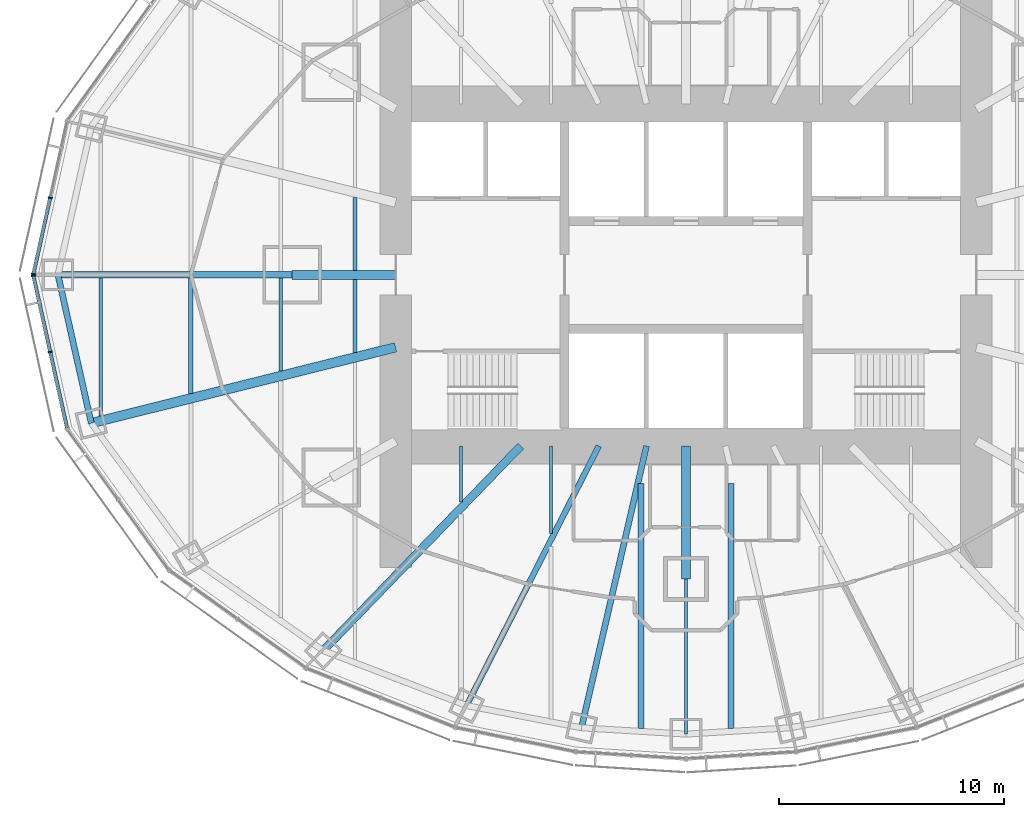
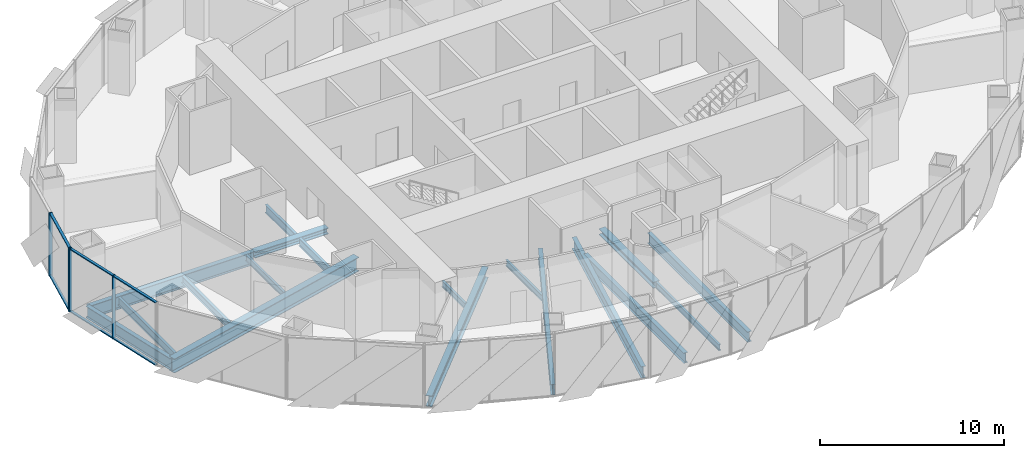
# One storey, part 3 of 18: 18 beams, 10 members, 2 elements without a shape of their own.
"""IFC4 building model written with IfcOpenShell, lengths in metres."""

from ifc_helpers import new_model, si_unit, direction, frame, origin, origin_2d, place, context, subcontext, project, spatial, rectangle, i_section, extrude, material, material_profile, profile_set, type_object, element, aggregate, save


model = new_model("IFC4")

# Units and contexts
model_context = context("Model", 3, precision=1e-05, world=origin(), true_north=direction((0.0, 1.0)))
body_context = subcontext(model_context, "Body", "Model", "MODEL_VIEW")
ifc_project = project(units=[si_unit("LENGTHUNIT", "METRE"), si_unit("AREAUNIT", "SQUARE_METRE"), si_unit("VOLUMEUNIT", "CUBIC_METRE"), si_unit("PLANEANGLEUNIT", "RADIAN"), si_unit("MASSUNIT", "GRAM", prefix="KILO")], contexts=[model_context])

# Site, building, storey
site_placement = place(None, origin())
site = spatial("IfcSite", under=ifc_project, at=site_placement, CompositionType="ELEMENT")
building_placement = place(site_placement, origin())
building = spatial("IfcBuilding", under=site, at=building_placement, Name="Lantaw Convention Tower", CompositionType="ELEMENT")
storey_placement = place(building_placement, frame((0.0, 0.0, 167.800048828125)))
storey = spatial("IfcBuildingStorey", under=building, at=storey_placement, Name="L39", CompositionType="ELEMENT", Elevation=167.800048828125)

# Beams
ifc_material_1 = material(Name="Steel ASTM A992", Category="steel")
ifc_material_profile_1 = material_profile(ifc_material_1, i_section(OverallWidth=0.2666015625, OverallDepth=0.76953125, WebThickness=0.015625, FlangeThickness=0.025390625, FilletRadius=0.0126953125, at=origin_2d()), Name="W30X132")
ifc_profile_set_1 = profile_set([ifc_material_profile_1], Name="Steel ASTM A992")
beam_type_1 = type_object("IfcBeamType", Name="Beam E W30X132", PredefinedType="SPANDREL", material=ifc_profile_set_1)
beam_1_placement = place(storey_placement, frame((-27.89990234375, 0.0, -0.534912109375), z_axis=(0.219211877447, -0.975677279015, 0.0), x_axis=(0.975677279015, 0.219211877447, 0.0)))
element("IfcBeam", 1, at=beam_1_placement, inside=storey, type_object=beam_type_1, Name="Edge beam 13", PredefinedType="SPANDREL", context=body_context, shape_type="SweptSolid", body=[
    extrude(i_section(OverallWidth=0.2666015625, OverallDepth=0.76953125, WebThickness=0.015625, FlangeThickness=0.025390625, FilletRadius=0.0126953125, at=origin_2d()), origin(), (0.0, 0.0, 1.0), 6.75146484375),
])
ifc_material_profile_2 = material_profile(ifc_material_1, i_section(OverallWidth=0.140380859375, OverallDepth=0.40380859375, WebThickness=0.007080078125, FlangeThickness=0.01123046875, FilletRadius=0.01025390625, at=origin_2d()), Name="W16X31")
ifc_profile_set_2 = profile_set([ifc_material_profile_2], Name="Steel ASTM A992")
beam_type_2 = type_object("IfcBeamType", Name="Beam G W16X31", PredefinedType="BEAM", material=ifc_profile_set_2)
beam_2_placement = place(storey_placement, frame((0.0, -13.5, -0.35205078125), z_axis=(0.0, -1.0, 0.0), x_axis=(1.0, 0.0, 0.0)))
element("IfcBeam", 2, at=beam_2_placement, inside=storey, type_object=beam_type_2, Name="Floor girder on ray 19", PredefinedType="BEAM", context=body_context, shape_type="SweptSolid", body=[
    extrude(i_section(OverallWidth=0.140380859375, OverallDepth=0.40380859375, WebThickness=0.007080078125, FlangeThickness=0.01123046875, FilletRadius=0.01025390625, at=origin_2d()), origin(), (0.0, 0.0, 1.0), 6.89990234375),
])
ifc_material_profile_3 = material_profile(ifc_material_1, i_section(OverallWidth=0.25390625, OverallDepth=0.700927734375, WebThickness=0.015380859375, FlangeThickness=0.02783203125, FilletRadius=0.01513671875, at=origin_2d()), Name="W27X129")
ifc_profile_set_3 = profile_set([ifc_material_profile_3], Name="Steel ASTM A992")
beam_type_3 = type_object("IfcBeamType", Name="Beam G W27X129", PredefinedType="BEAM", material=ifc_profile_set_3)
beam_3_placement = place(storey_placement, frame((-3.872314453125, -7.60009765625, -0.50048828125), z_axis=(-0.453991051051, -0.891006243281, 0.0), x_axis=(0.891006243281, -0.453991051051, 0.0)))
element("IfcBeam", 3, at=beam_3_placement, inside=storey, type_object=beam_type_3, Name="Floor girder on ray 17", PredefinedType="BEAM", context=body_context, shape_type="SweptSolid", body=[
    extrude(i_section(OverallWidth=0.25390625, OverallDepth=0.700927734375, WebThickness=0.015380859375, FlangeThickness=0.02783203125, FilletRadius=0.01513671875, at=origin_2d()), origin(), (0.0, 0.0, 1.0), 12.943359375),
])
ifc_material_profile_4 = material_profile(ifc_material_1, i_section(OverallWidth=0.360595703125, OverallDepth=0.72900390625, WebThickness=0.023193359375, FlangeThickness=0.041015625, FilletRadius=0.0126953125, at=origin_2d()), Name="W27X235")
ifc_profile_set_4 = profile_set([ifc_material_profile_4], Name="Steel ASTM A992")
beam_type_4 = type_object("IfcBeamType", Name="Beam G W27X235", PredefinedType="BEAM", material=ifc_profile_set_4)
beam_4_placement = place(storey_placement, frame((-7.33935546875, -7.60009765625, -0.5146484375), z_axis=(-0.694663467407, -0.719334878239, 0.0), x_axis=(0.719334878239, -0.694663467407, 0.0)))
element("IfcBeam", 4, at=beam_4_placement, inside=storey, type_object=beam_type_4, Name="Floor girder on ray 16", PredefinedType="BEAM", context=body_context, shape_type="SweptSolid", body=[
    extrude(i_section(OverallWidth=0.360595703125, OverallDepth=0.72900390625, WebThickness=0.023193359375, FlangeThickness=0.041015625, FilletRadius=0.0126953125, at=origin_2d()), origin(), (0.0, 0.0, 1.0), 12.63671875),
])
ifc_material_profile_5 = material_profile(ifc_material_1, i_section(OverallWidth=0.2666015625, OverallDepth=0.7568359375, WebThickness=0.013916015625, FlangeThickness=0.019287109375, FilletRadius=0.0126953125, at=origin_2d()), Name="W30X108")
ifc_profile_set_5 = profile_set([ifc_material_profile_5], Name="Steel ASTM A992")
beam_type_5 = type_object("IfcBeamType", Name="Beam G W30X108", PredefinedType="BEAM", material=ifc_profile_set_5)
beam_5_placement = place(storey_placement, frame((-1.754638671875, -7.60009765625, -0.528564453125), z_axis=(-0.224944153104, -0.974371658036, 0.0), x_axis=(0.974371658036, -0.224944153104, 0.0)))
element("IfcBeam", 5, at=beam_5_placement, inside=storey, type_object=beam_type_5, Name="Floor girder on ray 18", PredefinedType="BEAM", context=body_context, shape_type="SweptSolid", body=[
    extrude(i_section(OverallWidth=0.2666015625, OverallDepth=0.7568359375, WebThickness=0.013916015625, FlangeThickness=0.019287109375, FilletRadius=0.0126953125, at=origin_2d()), origin(), (0.0, 0.0, 1.0), 12.849365234375),
])
ifc_material_profile_6 = material_profile(ifc_material_1, i_section(OverallWidth=0.2919921875, OverallDepth=0.845703125, WebThickness=0.015380859375, FlangeThickness=0.0244140625, FilletRadius=0.01513671875, at=origin_2d()), Name="W33X141")
ifc_profile_set_6 = profile_set([ifc_material_profile_6], Name="Steel ASTM A992")
beam_type_6 = type_object("IfcBeamType", Name="Beam G W33X141", PredefinedType="BEAM", material=ifc_profile_set_6)
beam_6_placement = place(storey_placement, frame((-17.5, 0.0, -0.572998046875), z_axis=(-1.0, 0.0, 0.0), x_axis=(0.0, -1.0, 0.0)))
element("IfcBeam", 6, at=beam_6_placement, inside=storey, type_object=beam_type_6, Name="Floor girder on ray 13", PredefinedType="BEAM", context=body_context, shape_type="SweptSolid", body=[
    extrude(i_section(OverallWidth=0.2919921875, OverallDepth=0.845703125, WebThickness=0.015380859375, FlangeThickness=0.0244140625, FilletRadius=0.01513671875, at=origin_2d()), origin(), (0.0, 0.0, 1.0), 10.39990234375),
])
ifc_material_profile_7 = material_profile(ifc_material_1, i_section(OverallWidth=0.421630859375, OverallDepth=0.937255859375, WebThickness=0.0224609375, FlangeThickness=0.039794921875, FilletRadius=0.02001953125, at=origin_2d()), Name="W36X282")
ifc_profile_set_7 = profile_set([ifc_material_profile_7], Name="Steel ASTM A992")
beam_type_7 = type_object("IfcBeamType", Name="Beam G W36X282", PredefinedType="BEAM", material=ifc_profile_set_7)
beam_7_placement = place(storey_placement, frame((-12.89990234375, -3.21630859375, -0.61865234375), z_axis=(-0.970296903132, -0.24191717544, 0.0), x_axis=(0.24191717544, -0.970296903132, 0.0)))
element("IfcBeam", 7, at=beam_7_placement, inside=storey, type_object=beam_type_7, Name="Floor girder on ray 14", PredefinedType="BEAM", context=body_context, shape_type="SweptSolid", body=[
    extrude(i_section(OverallWidth=0.421630859375, OverallDepth=0.937255859375, WebThickness=0.0224609375, FlangeThickness=0.039794921875, FilletRadius=0.02001953125, at=origin_2d()), origin(), (0.0, 0.0, 1.0), 13.933837890625),
])
ifc_material_profile_8 = material_profile(ifc_material_1, i_section(OverallWidth=0.40380859375, OverallDepth=0.406494140625, WebThickness=0.027099609375, FlangeThickness=0.043701171875, FilletRadius=0.01513671875, at=origin_2d()), Name="W14X233")
ifc_profile_set_8 = profile_set([ifc_material_profile_8], Name="Steel ASTM A992")
beam_type_8 = type_object("IfcBeamType", Name="Beam GM W14X233", PredefinedType="BEAM", material=ifc_profile_set_8)
beam_8_placement = place(storey_placement, frame((-12.89990234375, 0.0, -0.353271484375), z_axis=(-1.0, 0.0, 0.0), x_axis=(0.0, -1.0, 0.0)))
element("IfcBeam", 8, at=beam_8_placement, inside=storey, type_object=beam_type_8, Name="Core link beam on ray 13", PredefinedType="BEAM", context=body_context, shape_type="SweptSolid", body=[
    extrude(i_section(OverallWidth=0.40380859375, OverallDepth=0.406494140625, WebThickness=0.027099609375, FlangeThickness=0.043701171875, FilletRadius=0.01513671875, at=origin_2d()), origin(), (0.0, 0.0, 1.0), 4.60009765625),
])
beam_9_placement = place(storey_placement, frame((0.0, -7.60009765625, -0.353271484375), z_axis=(0.0, -1.0, 0.0), x_axis=(1.0, 0.0, 0.0)))
element("IfcBeam", 9, at=beam_9_placement, inside=storey, type_object=beam_type_8, Name="Core link beam on ray 19", PredefinedType="BEAM", context=body_context, shape_type="SweptSolid", body=[
    extrude(i_section(OverallWidth=0.40380859375, OverallDepth=0.406494140625, WebThickness=0.027099609375, FlangeThickness=0.043701171875, FilletRadius=0.01513671875, at=origin_2d()), origin(), (0.0, 0.0, 1.0), 5.89990234375),
])
ifc_material_profile_9 = material_profile(ifc_material_1, i_section(OverallWidth=0.140380859375, OverallDepth=0.40380859375, WebThickness=0.007080078125, FlangeThickness=0.01123046875, FilletRadius=0.01025390625, at=origin_2d()), Name="W16X31")
ifc_profile_set_9 = profile_set([ifc_material_profile_9], Name="Steel ASTM A992")
beam_type_9 = type_object("IfcBeamType", Name="Beam J W16X31", PredefinedType="JOIST", material=ifc_profile_set_9)
beam_10_placement = place(storey_placement, frame((-18.0, -4.270751953125, -0.35205078125), z_axis=(0.0, 1.0, 0.0), x_axis=(-1.0, 0.0, 0.0)))
element("IfcBeam", 10, at=beam_10_placement, inside=storey, type_object=beam_type_9, Name="Floor joist", PredefinedType="JOIST", context=body_context, shape_type="SweptSolid", body=[
    extrude(i_section(OverallWidth=0.140380859375, OverallDepth=0.40380859375, WebThickness=0.007080078125, FlangeThickness=0.01123046875, FilletRadius=0.01025390625, at=origin_2d()), origin(), (0.0, 0.0, 1.0), 4.124755859375),
])
beam_11_placement = place(storey_placement, frame((-10.0, -10.095703125, -0.35205078125), z_axis=(0.0, 1.0, 0.0), x_axis=(-1.0, 0.0, 0.0)))
element("IfcBeam", 11, at=beam_11_placement, inside=storey, type_object=beam_type_9, Name="Floor joist", PredefinedType="JOIST", context=body_context, shape_type="SweptSolid", body=[
    extrude(i_section(OverallWidth=0.140380859375, OverallDepth=0.40380859375, WebThickness=0.007080078125, FlangeThickness=0.01123046875, FilletRadius=0.01025390625, at=origin_2d()), origin(), (0.0, 0.0, 1.0), 2.49560546875),
])
beam_12_placement = place(storey_placement, frame((-6.0, -11.495849609375, -0.35205078125), z_axis=(0.0, 1.0, 0.0), x_axis=(-1.0, 0.0, 0.0)))
element("IfcBeam", 12, at=beam_12_placement, inside=storey, type_object=beam_type_9, Name="Floor joist", PredefinedType="JOIST", context=body_context, shape_type="SweptSolid", body=[
    extrude(i_section(OverallWidth=0.140380859375, OverallDepth=0.40380859375, WebThickness=0.007080078125, FlangeThickness=0.01123046875, FilletRadius=0.01025390625, at=origin_2d()), origin(), (0.0, 0.0, 1.0), 3.895751953125),
])
ifc_material_profile_10 = material_profile(ifc_material_1, i_section(OverallWidth=0.1904296875, OverallDepth=0.457275390625, WebThickness=0.009033203125, FlangeThickness=0.014404296875, FilletRadius=0.01025390625, at=origin_2d()), Name="W18X50")
ifc_profile_set_10 = profile_set([ifc_material_profile_10], Name="Steel ASTM A992")
beam_type_10 = type_object("IfcBeamType", Name="Beam J W18X50", PredefinedType="JOIST", material=ifc_profile_set_10)
beam_13_placement = place(storey_placement, frame((-22.0, -5.267822265625, -0.378662109375), z_axis=(0.0, 1.0, 0.0), x_axis=(-1.0, 0.0, 0.0)))
element("IfcBeam", 13, at=beam_13_placement, inside=storey, type_object=beam_type_10, Name="Floor joist", PredefinedType="JOIST", context=body_context, shape_type="SweptSolid", body=[
    extrude(i_section(OverallWidth=0.1904296875, OverallDepth=0.457275390625, WebThickness=0.009033203125, FlangeThickness=0.014404296875, FilletRadius=0.01025390625, at=origin_2d()), origin(), (0.0, 0.0, 1.0), 5.121826171875),
])
ifc_material_profile_11 = material_profile(ifc_material_1, i_section(OverallWidth=0.1650390625, OverallDepth=0.52587890625, WebThickness=0.0087890625, FlangeThickness=0.011474609375, FilletRadius=0.0126953125, at=origin_2d()), Name="W21X44")
ifc_profile_set_11 = profile_set([ifc_material_profile_11], Name="Steel ASTM A992")
beam_type_11 = type_object("IfcBeamType", Name="Beam J W21X44", PredefinedType="JOIST", material=ifc_profile_set_11)
beam_14_placement = place(storey_placement, frame((-26.0, -6.26513671875, -0.412841796875), z_axis=(0.0, 1.0, 0.0), x_axis=(-1.0, 0.0, 0.0)))
element("IfcBeam", 14, at=beam_14_placement, inside=storey, type_object=beam_type_11, Name="Floor joist", PredefinedType="JOIST", context=body_context, shape_type="SweptSolid", body=[
    extrude(i_section(OverallWidth=0.1650390625, OverallDepth=0.52587890625, WebThickness=0.0087890625, FlangeThickness=0.011474609375, FilletRadius=0.0126953125, at=origin_2d()), origin(), (0.0, 0.0, 1.0), 6.119140625),
])
ifc_material_profile_12 = material_profile(ifc_material_1, i_section(OverallWidth=0.165771484375, OverallDepth=0.5283203125, WebThickness=0.009765625, FlangeThickness=0.013671875, FilletRadius=0.012939453125, at=origin_2d()), Name="W21X50")
ifc_profile_set_12 = profile_set([ifc_material_profile_12], Name="Steel ASTM A992")
beam_type_12 = type_object("IfcBeamType", Name="Beam J W21X50", PredefinedType="JOIST", material=ifc_profile_set_12)
for number, where, z_axis, x_axis, name in (
    (15, (-14.699951171875, -3.44775390625, -0.414306640625), (0.0, 1.0, 0.0), (-1.0, 0.0, 0.0), "Floor joist"),
    (16, (-14.699951171875, 0.201904296875, -0.414306640625), (0.0, 1.0, 0.0), (-1.0, 0.0, 0.0), "Floor joist"),
):
    element("IfcBeam", number, at=place(storey_placement, frame(where, z_axis=z_axis, x_axis=x_axis)), inside=storey, type_object=beam_type_12, Name=name, PredefinedType="JOIST", context=body_context, shape_type="SweptSolid", body=[
        extrude(i_section(OverallWidth=0.165771484375, OverallDepth=0.5283203125, WebThickness=0.009765625, FlangeThickness=0.013671875, FilletRadius=0.012939453125, at=origin_2d()), origin(), (0.0, 0.0, 1.0), 3.245849609375),
    ])
ifc_material_profile_13 = material_profile(ifc_material_1, i_section(OverallWidth=0.25390625, OverallDepth=0.683349609375, WebThickness=0.012451171875, FlangeThickness=0.01904296875, FilletRadius=0.01513671875, at=origin_2d()), Name="W27X94")
ifc_profile_set_13 = profile_set([ifc_material_profile_13], Name="Steel ASTM A992")
beam_type_13 = type_object("IfcBeamType", Name="Beam J W27X94", PredefinedType="JOIST", material=ifc_profile_set_13)
for number, where, z_axis, x_axis, name in (
    (17, (-2.0, -20.145751953125, -0.49169921875), (0.0, 1.0, 0.0), (-1.0, 0.0, 0.0), "Floor joist"),
    (18, (2.0, -20.145751953125, -0.49169921875), (0.0, 1.0, 0.0), (-1.0, 0.0, 0.0), "Floor joist"),
):
    element("IfcBeam", number, at=place(storey_placement, frame(where, z_axis=z_axis, x_axis=x_axis)), inside=storey, type_object=beam_type_13, Name=name, PredefinedType="JOIST", context=body_context, shape_type="SweptSolid", body=[
        extrude(i_section(OverallWidth=0.25390625, OverallDepth=0.683349609375, WebThickness=0.012451171875, FlangeThickness=0.01904296875, FilletRadius=0.01513671875, at=origin_2d()), origin(), (0.0, 0.0, 1.0), 10.889892578125),
    ])

# Curtain wall, members
ifc_material_2 = material(Name="Aluminium framed curtain wall", Category="aluminium")
curtain_wall_type = type_object("IfcCurtainWallType", Name="Office curtain wall low rise, pale aluminium", PredefinedType="USERDEFINED", material=ifc_material_2)
curtain_wall_1_placement = place(storey_placement, origin())
curtain_wall_1 = element("IfcCurtainWall", 19, at=curtain_wall_1_placement, inside=storey, type_object=curtain_wall_type, Name="Office curtain wall low rise, pale aluminium L39", ObjectType="UNITISED CURTAIN WALL", PredefinedType="USERDEFINED")
ifc_material_3 = material(Name="Aluminium 6063-T6", Category="aluminium")
ifc_material_profile_14 = material_profile(ifc_material_3, rectangle(XDim=0.199951171875, YDim=0.06494140625, at=origin_2d()), Name="CW-O1 mullion 65x200")
ifc_profile_set_14 = profile_set([ifc_material_profile_14], Name="Aluminium 6063-T6")
member_type_1 = type_object("IfcMemberType", Name="CW-O1 mullion 65x200", PredefinedType="MULLION", material=ifc_profile_set_14)
member_1_placement = place(storey_placement, frame((-28.24365234375, 3.4267578125, -0.150146484375), z_axis=(0.0, 0.0, 1.0), x_axis=(0.9764936509, -0.215546166174, 0.0)))
member_1 = element("IfcMember", 20, at=member_1_placement, type_object=member_type_1, Name="CW-O1 mullion 2", PredefinedType="MULLION", context=body_context, shape_type="SweptSolid", body=[
    extrude(rectangle(XDim=0.199951171875, YDim=0.06494140625, at=origin_2d()), origin(), (0.0, 0.0, 1.0), 4.2001953125),
])
member_2_placement = place(storey_placement, frame((-28.992919921875, 0.03173828125, -0.150146484375), z_axis=(0.0, 0.0, 1.0), x_axis=(0.9764936509, -0.215546166174, 0.0)))
member_2 = element("IfcMember", 21, at=member_2_placement, type_object=member_type_1, Name="CW-O1 mullion 3", PredefinedType="MULLION", context=body_context, shape_type="SweptSolid", body=[
    extrude(rectangle(XDim=0.199951171875, YDim=0.06494140625, at=origin_2d()), origin(), (0.0, 0.0, 1.0), 4.2001953125),
])

curtain_wall_2_placement = place(storey_placement, origin())
curtain_wall_2 = element("IfcCurtainWall", 22, at=curtain_wall_2_placement, inside=storey, type_object=curtain_wall_type, Name="Office curtain wall low rise, pale aluminium L39", ObjectType="UNITISED CURTAIN WALL", PredefinedType="USERDEFINED")
member_3_placement = place(storey_placement, frame((-28.992919921875, -0.03173828125, -0.150146484375), z_axis=(0.0, 0.0, 1.0), x_axis=(0.9764936509, 0.215546166174, 0.0)))
member_3 = element("IfcMember", 23, at=member_3_placement, type_object=member_type_1, Name="CW-O1 mullion 1", PredefinedType="MULLION", context=body_context, shape_type="SweptSolid", body=[
    extrude(rectangle(XDim=0.199951171875, YDim=0.06494140625, at=origin_2d()), origin(), (0.0, 0.0, 1.0), 4.2001953125),
])
member_4_placement = place(storey_placement, frame((-28.24365234375, -3.4267578125, -0.150146484375), z_axis=(0.0, 0.0, 1.0), x_axis=(0.9764936509, 0.215546166174, 0.0)))
member_4 = element("IfcMember", 24, at=member_4_placement, type_object=member_type_1, Name="CW-O1 mullion 2", PredefinedType="MULLION", context=body_context, shape_type="SweptSolid", body=[
    extrude(rectangle(XDim=0.199951171875, YDim=0.06494140625, at=origin_2d()), origin(), (0.0, 0.0, 1.0), 4.2001953125),
])

# Member
ifc_material_profile_15 = material_profile(ifc_material_3, rectangle(XDim=0.159912109375, YDim=0.06494140625, at=origin_2d()), Name="CW-O1 transom 65x160")
ifc_profile_set_15 = profile_set([ifc_material_profile_15], Name="Aluminium 6063-T6")
member_type_2 = type_object("IfcMemberType", Name="CW-O1 transom 65x160", PredefinedType="USERDEFINED", material=ifc_profile_set_15)
member_5_placement = place(storey_placement, frame((-28.250732421875, 3.39501953125, -0.117431640625), z_axis=(-0.215536096386, -0.976495873598, 0.0), x_axis=(0.976495873598, -0.215536096386, 0.0)))
member_5 = element("IfcMember", 25, at=member_5_placement, type_object=member_type_2, Name="CW-O1 transom 2.1", ObjectType="TRANSOM", PredefinedType="USERDEFINED", context=body_context, shape_type="SweptSolid", body=[
    extrude(rectangle(XDim=0.159912109375, YDim=0.06494140625, at=origin_2d()), origin(), (0.0, 0.0, 1.0), 3.41162109375),
])

member_6_placement = place(storey_placement, frame((-28.250732421875, 3.39501953125, 4.017333984375), z_axis=(-0.215536096386, -0.976495873598, 0.0), x_axis=(0.976495873598, -0.215536096386, 0.0)))
member_6 = element("IfcMember", 26, at=member_6_placement, type_object=member_type_2, Name="CW-O1 transom 2.2", ObjectType="TRANSOM", PredefinedType="USERDEFINED", context=body_context, shape_type="SweptSolid", body=[
    extrude(rectangle(XDim=0.159912109375, YDim=0.06494140625, at=origin_2d()), origin(), (0.0, 0.0, 1.0), 3.41162109375),
])

aggregate(curtain_wall_1, [member_1, member_2, member_5, member_6])

member_7_placement = place(storey_placement, frame((-28.986083984375, -0.0634765625, -0.117431640625), z_axis=(0.215536096386, -0.976495873598, 0.0), x_axis=(0.976495873598, 0.215536096386, 0.0)))
member_7 = element("IfcMember", 27, at=member_7_placement, type_object=member_type_2, Name="CW-O1 transom 1.1", ObjectType="TRANSOM", PredefinedType="USERDEFINED", context=body_context, shape_type="SweptSolid", body=[
    extrude(rectangle(XDim=0.159912109375, YDim=0.06494140625, at=origin_2d()), origin(), (0.0, 0.0, 1.0), 3.41162109375),
])

member_8_placement = place(storey_placement, frame((-28.986083984375, -0.0634765625, 4.017333984375), z_axis=(0.215536096386, -0.976495873598, 0.0), x_axis=(0.976495873598, 0.215536096386, 0.0)))
member_8 = element("IfcMember", 28, at=member_8_placement, type_object=member_type_2, Name="CW-O1 transom 1.2", ObjectType="TRANSOM", PredefinedType="USERDEFINED", context=body_context, shape_type="SweptSolid", body=[
    extrude(rectangle(XDim=0.159912109375, YDim=0.06494140625, at=origin_2d()), origin(), (0.0, 0.0, 1.0), 3.41162109375),
])

member_9_placement = place(storey_placement, frame((-28.236572265625, -3.45849609375, -0.117431640625), z_axis=(0.21555115847, -0.976492548913, 0.0), x_axis=(0.976492548913, 0.21555115847, 0.0)))
member_9 = element("IfcMember", 29, at=member_9_placement, type_object=member_type_2, Name="CW-O1 transom 2.1", ObjectType="TRANSOM", PredefinedType="USERDEFINED", context=body_context, shape_type="SweptSolid", body=[
    extrude(rectangle(XDim=0.159912109375, YDim=0.06494140625, at=origin_2d()), origin(), (0.0, 0.0, 1.0), 3.411376953125),
])

member_10_placement = place(storey_placement, frame((-28.236572265625, -3.45849609375, 4.017333984375), z_axis=(0.21555115847, -0.976492548913, 0.0), x_axis=(0.976492548913, 0.21555115847, 0.0)))
member_10 = element("IfcMember", 30, at=member_10_placement, type_object=member_type_2, Name="CW-O1 transom 2.2", ObjectType="TRANSOM", PredefinedType="USERDEFINED", context=body_context, shape_type="SweptSolid", body=[
    extrude(rectangle(XDim=0.159912109375, YDim=0.06494140625, at=origin_2d()), origin(), (0.0, 0.0, 1.0), 3.411376953125),
])

aggregate(curtain_wall_2, [member_3, member_4, member_7, member_8, member_9, member_10])

save(model, "model.ifc")
